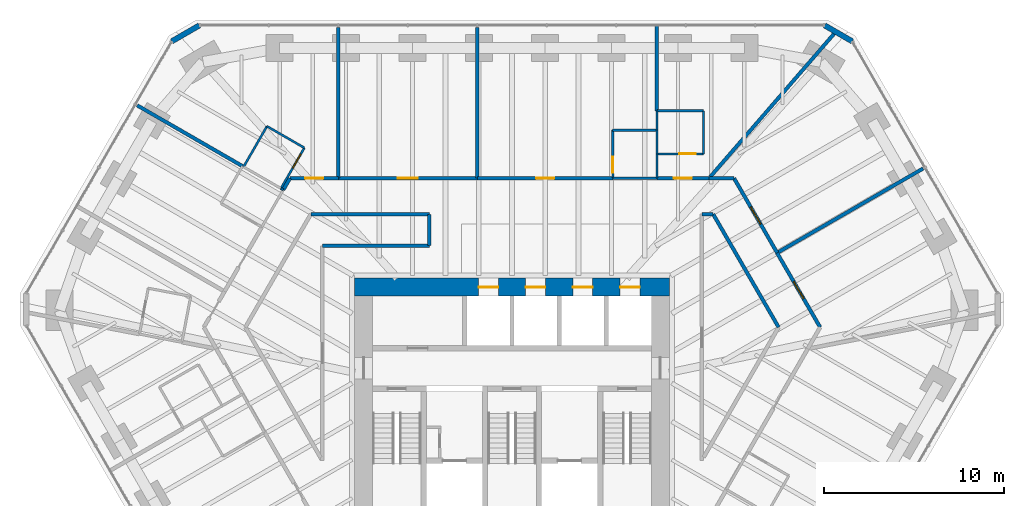
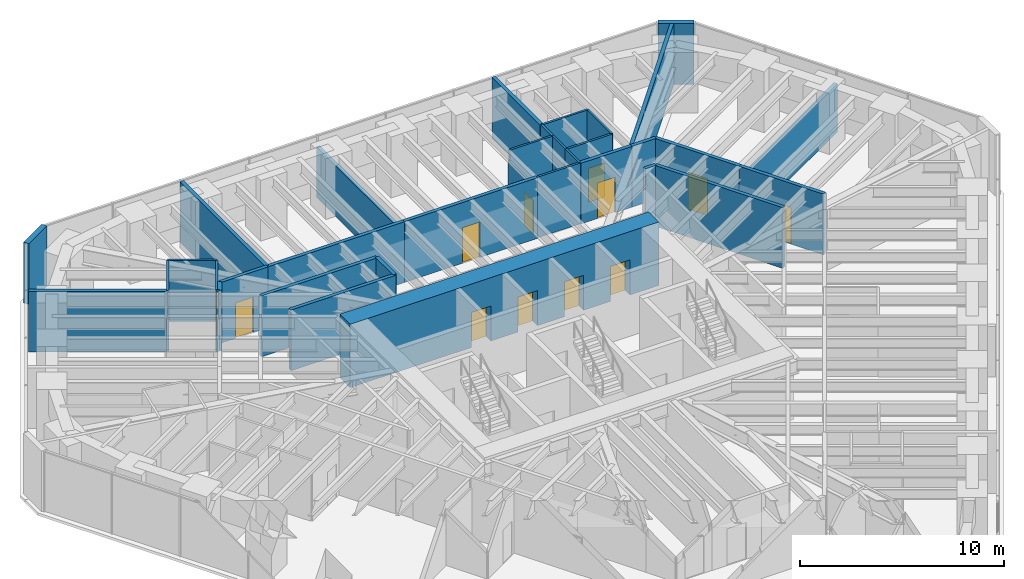
# One storey, part 14 of 16: 35 walls, 13 doors, 13 openings.
"""IFC4 building model written with IfcOpenShell, lengths in metres."""

from ifc_helpers import new_model, si_unit, direction, frame, frame_2d, origin, place, context, subcontext, project, spatial, rectangle, extrude, material, layer, layer_set, type_object, element, fill, save


model = new_model("IFC4")

# Units and contexts
model_context = context("Model", 3, precision=1e-05, world=origin(), true_north=direction((0.0, 1.0)))
body_context = subcontext(model_context, "Body", "Model", "MODEL_VIEW")
ifc_project = project(units=[si_unit("LENGTHUNIT", "METRE"), si_unit("AREAUNIT", "SQUARE_METRE"), si_unit("VOLUMEUNIT", "CUBIC_METRE"), si_unit("PLANEANGLEUNIT", "RADIAN"), si_unit("MASSUNIT", "GRAM", prefix="KILO")], contexts=[model_context])

# Site, building, storey
site_placement = place(None, origin())
site = spatial("IfcSite", under=ifc_project, at=site_placement, CompositionType="ELEMENT")
building_placement = place(site_placement, origin())
building = spatial("IfcBuilding", under=site, at=building_placement, Name="Sandreach Pilgrim Tower", CompositionType="ELEMENT")
storey_placement = place(building_placement, frame((0.0, 0.0, 228.800048828125)))
storey = spatial("IfcBuildingStorey", under=building, at=storey_placement, Name="L57", CompositionType="ELEMENT", Elevation=228.800048828125)

# Walls
ifc_material_1 = material(Name="Moisture-resistant gypsum board on steel studs", Category="steel")
ifc_layer_1 = layer(ifc_material_1, 0.1201171875)
ifc_layer_set_1 = layer_set([ifc_layer_1], Name="Bathroom partition 120")
wall_type_1 = type_object("IfcWallType", Name="Bathroom partition 120", PredefinedType="PARTITIONING", material=ifc_layer_set_1)
wall_1_placement = place(storey_placement, frame((-13.6298828125, 15.550048828125, 0.0), z_axis=(0.0, 0.0, 1.0), x_axis=(-0.498627694264, -0.866816256489, 0.0)))
element("IfcWall", 1, at=wall_1_placement, inside=storey, type_object=wall_type_1, Name="Bathroom partition L57-029", PredefinedType="PARTITIONING", context=body_context, shape_type="SweptSolid", body=[
    extrude(rectangle(XDim=2.607177734375, YDim=0.1201171875, at=frame_2d((1.3037109375, 0.0))), origin(), (0.0, 0.0, 1.0), 3.639892578125),
])
wall_2_placement = place(storey_placement, frame((-12.85009765625, 12.090087890625, 0.0), z_axis=(0.0, 0.0, 1.0), x_axis=(0.880471099922, -0.474099823035, 0.0)))
element("IfcWall", 2, at=wall_2_placement, inside=storey, type_object=wall_type_1, Name="Bathroom partition L57-030", PredefinedType="PARTITIONING", context=body_context, shape_type="SweptSolid", body=[
    extrude(rectangle(XDim=0.147705078125, YDim=0.1201171875, at=frame_2d((0.07373046875, 0.0))), origin(), (0.0, 0.0, 1.0), 3.639892578125),
])

# Wall, opening, door
wall_3_placement = place(storey_placement, frame((-12.85009765625, 12.090087890625, 0.0), z_axis=(0.0, 0.0, 1.0), x_axis=(0.498627694264, 0.866816256489, 0.0)))
wall_3 = element("IfcWall", 3, at=wall_3_placement, inside=storey, type_object=wall_type_1, Name="Bathroom partition L57-031", PredefinedType="PARTITIONING", context=body_context, shape_type="SweptSolid", body=[
    extrude(rectangle(XDim=2.607177734375, YDim=0.1201171875, at=frame_2d((1.3037109375, 0.0))), origin(), (0.0, 0.0, 1.0), 3.639892578125),
])
opening_1_placement = place(wall_3_placement, frame((1.300048828125, 0.0, 0.0)))
opening_1 = element("IfcOpeningElement", 4, at=opening_1_placement, cuts=wall_3, Name="Opening D09-16B", PredefinedType="OPENING", context=body_context, shape_type="SweptSolid", body=[
    extrude(rectangle(XDim=0.89990234375, YDim=2.030029296875, at=frame_2d((0.449951171875, 1.01513671875))), frame((0.0, 0.06005859375, 0.0), z_axis=(0.0, -1.0, 0.0), x_axis=(1.0, 0.0, 0.0)), (0.0, 0.0, 1.0), 0.1201171875),
])
ifc_material_2 = material(Name="Timber door, steel frame", Category="steel")
door_type_1 = type_object("IfcDoorType", Name="Bathroom door", OperationType="SINGLE_SWING_LEFT", PredefinedType="DOOR", material=ifc_material_2)
door_1_placement = place(opening_1_placement, origin())
door_1 = element("IfcDoor", 5, at=door_1_placement, inside=storey, type_object=door_type_1, Name="Door 5716B", OperationType="SINGLE_SWING_RIGHT", OverallHeight=2.030029296875, OverallWidth=0.89990234375, PredefinedType="DOOR", context=body_context, shape_type="SweptSolid", body=[
    extrude(rectangle(XDim=0.89990234375, YDim=2.030029296875, at=frame_2d((0.449951171875, 1.01513671875))), frame((0.0, 0.02490234375, 0.0), z_axis=(0.0, -1.0, 0.0), x_axis=(1.0, 0.0, 0.0)), (0.0, 0.0, 1.0), 0.050048828125),
])
fill(opening_1, door_1)

# Wall
wall_4_placement = place(storey_placement, frame((-11.550048828125, 14.35009765625, 0.0), z_axis=(0.0, 0.0, 1.0), x_axis=(-0.866177122335, 0.499737123639, 0.0)))
element("IfcWall", 6, at=wall_4_placement, inside=storey, type_object=wall_type_1, Name="Bathroom partition L57-035", PredefinedType="PARTITIONING", context=body_context, shape_type="SweptSolid", body=[
    extrude(rectangle(XDim=2.401123046875, YDim=0.1201171875, at=frame_2d((1.20068359375, 0.0))), origin(), (0.0, 0.0, 1.0), 3.639892578125),
])

# Wall, opening, door
wall_5_placement = place(storey_placement, frame((5.60009765625, 15.330078125, 0.0), z_axis=(0.0, 0.0, 1.0), x_axis=(0.003748716459, -0.999992973538, 0.0)))
wall_5 = element("IfcWall", 7, at=wall_5_placement, inside=storey, type_object=wall_type_1, Name="Bathroom partition L57-072", PredefinedType="PARTITIONING", context=body_context, shape_type="SweptSolid", body=[
    extrude(rectangle(XDim=2.670166015625, YDim=0.1201171875, at=frame_2d((1.3349609375, 0.0))), origin(), (0.0, 0.0, 1.0), 3.022705078125),
])
opening_2_placement = place(wall_5_placement, frame((1.469970703125, 0.0, 0.0)))
opening_2 = element("IfcOpeningElement", 8, at=opening_2_placement, cuts=wall_5, Name="Opening D09-02B", PredefinedType="OPENING", context=body_context, shape_type="SweptSolid", body=[
    extrude(rectangle(XDim=0.89990234375, YDim=2.030029296875, at=frame_2d((0.449951171875, 1.01513671875))), frame((0.0, 0.06005859375, 0.0), z_axis=(0.0, -1.0, 0.0), x_axis=(1.0, 0.0, 0.0)), (0.0, 0.0, 1.0), 0.1201171875),
])
door_2_placement = place(opening_2_placement, origin())
door_2 = element("IfcDoor", 9, at=door_2_placement, inside=storey, type_object=door_type_1, Name="Door 5702B", OperationType="SINGLE_SWING_RIGHT", OverallHeight=2.030029296875, OverallWidth=0.89990234375, PredefinedType="DOOR", context=body_context, shape_type="SweptSolid", body=[
    extrude(rectangle(XDim=0.89990234375, YDim=2.030029296875, at=frame_2d((0.449951171875, 1.01513671875))), frame((0.0, 0.02490234375, 0.0), z_axis=(0.0, -1.0, 0.0), x_axis=(1.0, 0.0, 0.0)), (0.0, 0.0, 1.0), 0.050048828125),
])
fill(opening_2, door_2)

# Walls
wall_6_placement = place(storey_placement, frame((8.06005859375, 12.659912109375, 0.0), z_axis=(0.0, 0.0, 1.0), x_axis=(-1.0, 0.0, 0.0)))
element("IfcWall", 10, at=wall_6_placement, inside=storey, type_object=wall_type_1, Name="Bathroom partition L57-082", PredefinedType="PARTITIONING", context=body_context, shape_type="SweptSolid", body=[
    extrude(rectangle(XDim=2.449951171875, YDim=0.1201171875, at=frame_2d((1.22509765625, 0.0))), origin(), (0.0, 0.0, 1.0), 3.639892578125),
])
wall_7_placement = place(storey_placement, frame((8.06005859375, 14.010009765625, 0.0), z_axis=(0.0, 0.0, 1.0), x_axis=(0.0, -1.0, 0.0)))
element("IfcWall", 11, at=wall_7_placement, inside=storey, type_object=wall_type_1, Name="Bathroom partition L57-083", PredefinedType="PARTITIONING", context=body_context, shape_type="SweptSolid", body=[
    extrude(rectangle(XDim=1.35009765625, YDim=0.1201171875, at=frame_2d((0.675048828125, 0.0))), origin(), (0.0, 0.0, 1.0), 3.639892578125),
])

# Wall, opening, door
wall_8_placement = place(storey_placement, frame((8.06005859375, 14.010009765625, 0.0), z_axis=(0.0, 0.0, 1.0), x_axis=(1.0, 0.0, 0.0)))
wall_8 = element("IfcWall", 12, at=wall_8_placement, inside=storey, type_object=wall_type_1, Name="Bathroom partition L57-084", PredefinedType="PARTITIONING", context=body_context, shape_type="SweptSolid", body=[
    extrude(rectangle(XDim=2.599853515625, YDim=0.1201171875, at=frame_2d((1.2998046875, 0.0))), origin(), (0.0, 0.0, 1.0), 3.639892578125),
])
opening_3_placement = place(wall_8_placement, frame((1.25, 0.0, 0.0)))
opening_3 = element("IfcOpeningElement", 13, at=opening_3_placement, cuts=wall_8, Name="Opening D09-03B", PredefinedType="OPENING", context=body_context, shape_type="SweptSolid", body=[
    extrude(rectangle(XDim=0.89990234375, YDim=2.030029296875, at=frame_2d((0.449951171875, 1.01513671875))), frame((0.0, 0.06005859375, 0.0), z_axis=(0.0, -1.0, 0.0), x_axis=(1.0, 0.0, 0.0)), (0.0, 0.0, 1.0), 0.1201171875),
])
door_3_placement = place(opening_3_placement, origin())
door_3 = element("IfcDoor", 14, at=door_3_placement, inside=storey, type_object=door_type_1, Name="Door 5703B", OperationType="SINGLE_SWING_RIGHT", OverallHeight=2.030029296875, OverallWidth=0.89990234375, PredefinedType="DOOR", context=body_context, shape_type="SweptSolid", body=[
    extrude(rectangle(XDim=0.89990234375, YDim=2.030029296875, at=frame_2d((0.449951171875, 1.01513671875))), frame((0.0, 0.02490234375, 0.0), z_axis=(0.0, -1.0, 0.0), x_axis=(1.0, 0.0, 0.0)), (0.0, 0.0, 1.0), 0.050048828125),
])
fill(opening_3, door_3)

# Walls
wall_9_placement = place(storey_placement, frame((8.06005859375, 15.330078125, 0.0), z_axis=(0.0, 0.0, 1.0), x_axis=(-1.0, 0.0, 0.0)))
element("IfcWall", 15, at=wall_9_placement, inside=storey, type_object=wall_type_1, Name="Bathroom partition L57-085", PredefinedType="PARTITIONING", context=body_context, shape_type="SweptSolid", body=[
    extrude(rectangle(XDim=2.4599609375, YDim=0.1201171875, at=frame_2d((1.22998046875, 0.0))), origin(), (0.0, 0.0, 1.0), 3.639892578125),
])
wall_10_placement = place(storey_placement, frame((8.06005859375, 15.330078125, 0.0), z_axis=(0.0, 0.0, 1.0), x_axis=(0.0, -1.0, 0.0)))
element("IfcWall", 16, at=wall_10_placement, inside=storey, type_object=wall_type_1, Name="Bathroom partition L57-086", PredefinedType="PARTITIONING", context=body_context, shape_type="SweptSolid", body=[
    extrude(rectangle(XDim=1.320068359375, YDim=0.1201171875, at=frame_2d((0.66015625, 0.0))), origin(), (0.0, 0.0, 1.0), 3.639892578125),
])
wall_11_placement = place(storey_placement, frame((8.06005859375, 16.409912109375, 0.0), z_axis=(0.0, 0.0, 1.0), x_axis=(0.0, -1.0, 0.0)))
element("IfcWall", 17, at=wall_11_placement, inside=storey, type_object=wall_type_1, Name="Bathroom partition L57-087", PredefinedType="PARTITIONING", context=body_context, shape_type="SweptSolid", body=[
    extrude(rectangle(XDim=1.079833984375, YDim=0.1201171875, at=frame_2d((0.5400390625, 0.0))), origin(), (0.0, 0.0, 1.0), 3.639892578125),
])
wall_12_placement = place(storey_placement, frame((10.659912109375, 14.010009765625, 0.0), z_axis=(0.0, 0.0, 1.0), x_axis=(0.0, 1.0, 0.0)))
element("IfcWall", 18, at=wall_12_placement, inside=storey, type_object=wall_type_1, Name="Bathroom partition L57-098", PredefinedType="PARTITIONING", context=body_context, shape_type="SweptSolid", body=[
    extrude(rectangle(XDim=2.39990234375, YDim=0.1201171875, at=frame_2d((1.199951171875, 0.0))), origin(), (0.0, 0.0, 1.0), 3.639892578125),
])
wall_13_placement = place(storey_placement, frame((10.659912109375, 16.409912109375, 0.0), z_axis=(0.0, 0.0, 1.0), x_axis=(-1.0, 0.0, 0.0)))
element("IfcWall", 19, at=wall_13_placement, inside=storey, type_object=wall_type_1, Name="Bathroom partition L57-099", PredefinedType="PARTITIONING", context=body_context, shape_type="SweptSolid", body=[
    extrude(rectangle(XDim=2.599853515625, YDim=0.1201171875, at=frame_2d((1.2998046875, 0.0))), origin(), (0.0, 0.0, 1.0), 3.639892578125),
])

# Wall, openings, doors
ifc_material_3 = material(Name="Concrete 10000 psi", Category="concrete")
ifc_layer_2 = layer(ifc_material_3, 1.0)
ifc_layer_set_2 = layer_set([ifc_layer_2], Name="Core wall 1000")
wall_type_2 = type_object("IfcWallType", Name="Core wall 1000", PredefinedType="SHEAR", material=ifc_layer_set_2)
wall_14_placement = place(storey_placement, frame((-8.75, 6.60009765625, 0.0), z_axis=(0.0, 0.0, 1.0), x_axis=(1.0, 0.0, 0.0)))
wall_14 = element("IfcWall", 20, at=wall_14_placement, inside=storey, type_object=wall_type_2, Name="Core wall N L57", PredefinedType="SHEAR", context=body_context, shape_type="SweptSolid", body=[
    extrude(rectangle(XDim=17.5, YDim=1.0, at=frame_2d((8.75, 0.0))), origin(), (0.0, 0.0, 1.0), 3.800048828125),
])
opening_4_placement = place(wall_14_placement, frame((6.887451171875, 0.0, 0.0)))
opening_4 = element("IfcOpeningElement", 21, at=opening_4_placement, cuts=wall_14, Name="Opening LD11", PredefinedType="OPENING", context=body_context, shape_type="SweptSolid", body=[
    extrude(rectangle(XDim=1.10009765625, YDim=2.10009765625, at=frame_2d((0.550048828125, 1.050048828125))), frame((0.0, 0.5, 0.0), z_axis=(0.0, -1.0, 0.0), x_axis=(1.0, 0.0, 0.0)), (0.0, 0.0, 1.0), 1.0),
])
opening_5_placement = place(wall_14_placement, frame((9.512451171875, 0.0, 0.0)))
opening_5 = element("IfcOpeningElement", 22, at=opening_5_placement, cuts=wall_14, Name="Opening LD11", PredefinedType="OPENING", context=body_context, shape_type="SweptSolid", body=[
    extrude(rectangle(XDim=1.10009765625, YDim=2.10009765625, at=frame_2d((0.550048828125, 1.050048828125))), frame((0.0, 0.5, 0.0), z_axis=(0.0, -1.0, 0.0), x_axis=(1.0, 0.0, 0.0)), (0.0, 0.0, 1.0), 1.0),
])
opening_6_placement = place(wall_14_placement, frame((12.137451171875, 0.0, 0.0)))
opening_6 = element("IfcOpeningElement", 23, at=opening_6_placement, cuts=wall_14, Name="Opening LD11", PredefinedType="OPENING", context=body_context, shape_type="SweptSolid", body=[
    extrude(rectangle(XDim=1.10009765625, YDim=2.10009765625, at=frame_2d((0.550048828125, 1.050048828125))), frame((0.0, 0.5, 0.0), z_axis=(0.0, -1.0, 0.0), x_axis=(1.0, 0.0, 0.0)), (0.0, 0.0, 1.0), 1.0),
])
opening_7_placement = place(wall_14_placement, frame((14.762451171875, 0.0, 0.0)))
opening_7 = element("IfcOpeningElement", 24, at=opening_7_placement, cuts=wall_14, Name="Opening LD11", PredefinedType="OPENING", context=body_context, shape_type="SweptSolid", body=[
    extrude(rectangle(XDim=1.10009765625, YDim=2.10009765625, at=frame_2d((0.550048828125, 1.050048828125))), frame((0.0, 0.5, 0.0), z_axis=(0.0, -1.0, 0.0), x_axis=(1.0, 0.0, 0.0)), (0.0, 0.0, 1.0), 1.0),
])
ifc_material_4 = material(Name="Steel door and frame", Category="steel")
door_type_2 = type_object("IfcDoorType", Name="Lift landing door", OperationType="DOUBLE_DOOR_SLIDING", PredefinedType="DOOR", material=ifc_material_4)
door_4_placement = place(opening_4_placement, origin())
door_4 = element("IfcDoor", 25, at=door_4_placement, inside=storey, type_object=door_type_2, Name="Lift landing door Z3A L57", OperationType="DOUBLE_DOOR_SLIDING", OverallHeight=2.10009765625, OverallWidth=1.10009765625, PredefinedType="DOOR", context=body_context, shape_type="SweptSolid", body=[
    extrude(rectangle(XDim=1.10009765625, YDim=2.10009765625, at=frame_2d((0.550048828125, 1.050048828125))), frame((0.0, 0.02490234375, 0.0), z_axis=(0.0, -1.0, 0.0), x_axis=(1.0, 0.0, 0.0)), (0.0, 0.0, 1.0), 0.050048828125),
])
fill(opening_4, door_4)
door_5_placement = place(opening_5_placement, origin())
door_5 = element("IfcDoor", 26, at=door_5_placement, inside=storey, type_object=door_type_2, Name="Lift landing door Z3B L57", OperationType="DOUBLE_DOOR_SLIDING", OverallHeight=2.10009765625, OverallWidth=1.10009765625, PredefinedType="DOOR", context=body_context, shape_type="SweptSolid", body=[
    extrude(rectangle(XDim=1.10009765625, YDim=2.10009765625, at=frame_2d((0.550048828125, 1.050048828125))), frame((0.0, 0.02490234375, 0.0), z_axis=(0.0, -1.0, 0.0), x_axis=(1.0, 0.0, 0.0)), (0.0, 0.0, 1.0), 0.050048828125),
])
fill(opening_5, door_5)
door_6_placement = place(opening_6_placement, origin())
door_6 = element("IfcDoor", 27, at=door_6_placement, inside=storey, type_object=door_type_2, Name="Lift landing door Z3C L57", OperationType="DOUBLE_DOOR_SLIDING", OverallHeight=2.10009765625, OverallWidth=1.10009765625, PredefinedType="DOOR", context=body_context, shape_type="SweptSolid", body=[
    extrude(rectangle(XDim=1.10009765625, YDim=2.10009765625, at=frame_2d((0.550048828125, 1.050048828125))), frame((0.0, 0.02490234375, 0.0), z_axis=(0.0, -1.0, 0.0), x_axis=(1.0, 0.0, 0.0)), (0.0, 0.0, 1.0), 0.050048828125),
])
fill(opening_6, door_6)
door_7_placement = place(opening_7_placement, origin())
door_7 = element("IfcDoor", 28, at=door_7_placement, inside=storey, type_object=door_type_2, Name="Lift landing door Z3D L57", OperationType="DOUBLE_DOOR_SLIDING", OverallHeight=2.10009765625, OverallWidth=1.10009765625, PredefinedType="DOOR", context=body_context, shape_type="SweptSolid", body=[
    extrude(rectangle(XDim=1.10009765625, YDim=2.10009765625, at=frame_2d((0.550048828125, 1.050048828125))), frame((0.0, 0.02490234375, 0.0), z_axis=(0.0, -1.0, 0.0), x_axis=(1.0, 0.0, 0.0)), (0.0, 0.0, 1.0), 0.050048828125),
])
fill(opening_7, door_7)

# Walls
ifc_material_5 = material(Name="Gypsum board on steel studs, two layers each side", Category="steel")
ifc_layer_3 = layer(ifc_material_5, 0.199951171875)
ifc_layer_set_3 = layer_set([ifc_layer_3], Name="Corridor wall 200")
wall_type_3 = type_object("IfcWallType", Name="Corridor wall 200", PredefinedType="PARTITIONING", material=ifc_layer_set_3)
wall_15_placement = place(storey_placement, frame((-12.71826171875, 12.01904296875, 0.0), z_axis=(0.0, 0.0, 1.0), x_axis=(0.498129744856, 0.867102506795, 0.0)))
element("IfcWall", 29, at=wall_15_placement, inside=storey, type_object=wall_type_3, Name="Corridor wall L57-032", PredefinedType="PARTITIONING", context=body_context, shape_type="SweptSolid", body=[
    extrude(rectangle(XDim=0.739013671875, YDim=0.199951171875, at=frame_2d((0.36962890625, 0.0))), origin(), (0.0, 0.0, 1.0), 3.639892578125),
])
wall_16_placement = place(storey_placement, frame((-11.18994140625, 10.659912109375, 0.0), z_axis=(0.0, 0.0, 1.0), x_axis=(1.0, 0.0, 0.0)))
element("IfcWall", 30, at=wall_16_placement, inside=storey, type_object=wall_type_3, Name="Corridor wall L57-036", PredefinedType="PARTITIONING", context=body_context, shape_type="SweptSolid", body=[
    extrude(rectangle(XDim=6.58984375, YDim=0.199951171875, at=frame_2d((3.294921875, 0.0))), origin(), (0.0, 0.0, 1.0), 3.639892578125),
])

# Wall, opening, door
wall_17_placement = place(storey_placement, frame((-9.659912109375, 12.659912109375, 0.0), z_axis=(0.0, 0.0, 1.0), x_axis=(-1.0, 0.0, 0.0)))
wall_17 = element("IfcWall", 31, at=wall_17_placement, inside=storey, type_object=wall_type_3, Name="Corridor wall L57-042", PredefinedType="PARTITIONING", context=body_context, shape_type="SweptSolid", body=[
    extrude(rectangle(XDim=2.690185546875, YDim=0.199951171875, at=frame_2d((1.34521484375, 0.0))), origin(), (0.0, 0.0, 1.0), 3.639892578125),
])
opening_8_placement = place(wall_17_placement, frame((0.844970703125, 0.0, 0.0)))
opening_8 = element("IfcOpeningElement", 32, at=opening_8_placement, cuts=wall_17, Name="Opening D10-16", PredefinedType="OPENING", context=body_context, shape_type="SweptSolid", body=[
    extrude(rectangle(XDim=1.0, YDim=2.1298828125, at=frame_2d((0.5, 1.06494140625))), frame((0.0, 0.10009765625, 0.0), z_axis=(0.0, -1.0, 0.0), x_axis=(1.0, 0.0, 0.0)), (0.0, 0.0, 1.0), 0.199951171875),
])
ifc_material_6 = material(Name="Steel door and frame", Category="steel")
door_type_3 = type_object("IfcDoorType", Name="Guest room entry door", OperationType="SINGLE_SWING_LEFT", PredefinedType="DOOR", material=ifc_material_6)
door_8_placement = place(opening_8_placement, origin())
door_8 = element("IfcDoor", 33, at=door_8_placement, inside=storey, type_object=door_type_3, Name="Door 5716", OperationType="SINGLE_SWING_LEFT", OverallHeight=2.1298828125, OverallWidth=1.0, PredefinedType="DOOR", context=body_context, shape_type="SweptSolid", body=[
    extrude(rectangle(XDim=1.0, YDim=2.1298828125, at=frame_2d((0.5, 1.06494140625))), frame((0.0, 0.02490234375, 0.0), z_axis=(0.0, -1.0, 0.0), x_axis=(1.0, 0.0, 0.0)), (0.0, 0.0, 1.0), 0.050048828125),
])
fill(opening_8, door_8)

# Walls
wall_18_placement = place(storey_placement, frame((-4.60009765625, 8.89990234375, 0.0), z_axis=(0.0, 0.0, 1.0), x_axis=(-1.0, 0.0, 0.0)))
element("IfcWall", 34, at=wall_18_placement, inside=storey, type_object=wall_type_3, Name="Corridor wall L57-049", PredefinedType="PARTITIONING", context=body_context, shape_type="SweptSolid", body=[
    extrude(rectangle(XDim=5.93994140625, YDim=0.199951171875, at=frame_2d((2.969970703125, 0.0))), origin(), (0.0, 0.0, 1.0), 3.639892578125),
])
wall_19_placement = place(storey_placement, frame((-4.60009765625, 10.64990234375, 0.0), z_axis=(0.0, 0.0, 1.0), x_axis=(0.0, -1.0, 0.0)))
element("IfcWall", 35, at=wall_19_placement, inside=storey, type_object=wall_type_3, Name="Corridor wall L57-050", PredefinedType="PARTITIONING", context=body_context, shape_type="SweptSolid", body=[
    extrude(rectangle(XDim=1.739990234375, YDim=0.199951171875, at=frame_2d((0.8701171875, 0.0))), origin(), (0.0, 0.0, 1.0), 3.639892578125),
])

# Wall, opening, door
wall_20_placement = place(storey_placement, frame((-1.929931640625, 12.659912109375, 0.0), z_axis=(0.0, 0.0, 1.0), x_axis=(-1.0, 0.0, 0.0)))
wall_20 = element("IfcWall", 36, at=wall_20_placement, inside=storey, type_object=wall_type_3, Name="Corridor wall L57-060", PredefinedType="PARTITIONING", context=body_context, shape_type="SweptSolid", body=[
    extrude(rectangle(XDim=7.72998046875, YDim=0.199951171875, at=frame_2d((3.864990234375, 0.0))), origin(), (0.0, 0.0, 1.0), 3.639892578125),
])
opening_9_placement = place(wall_20_placement, frame((3.31494140625, 0.0, 0.0)))
opening_9 = element("IfcOpeningElement", 37, at=opening_9_placement, cuts=wall_20, Name="Opening D11H-01", PredefinedType="OPENING", context=body_context, shape_type="SweptSolid", body=[
    extrude(rectangle(XDim=1.10009765625, YDim=2.199951171875, at=frame_2d((0.550048828125, 1.10009765625))), frame((0.0, 0.10009765625, 0.0), z_axis=(0.0, -1.0, 0.0), x_axis=(1.0, 0.0, 0.0)), (0.0, 0.0, 1.0), 0.199951171875),
])
ifc_material_7 = material(Name="Steel door and frame", Category="steel")
door_type_4 = type_object("IfcDoorType", Name="Back of house door", OperationType="SINGLE_SWING_LEFT", PredefinedType="DOOR", material=ifc_material_7)
door_9_placement = place(opening_9_placement, origin())
door_9 = element("IfcDoor", 38, at=door_9_placement, inside=storey, type_object=door_type_4, Name="Door 5701", OperationType="SINGLE_SWING_LEFT", OverallHeight=2.199951171875, OverallWidth=1.10009765625, PredefinedType="DOOR", context=body_context, shape_type="SweptSolid", body=[
    extrude(rectangle(XDim=1.10009765625, YDim=2.199951171875, at=frame_2d((0.550048828125, 1.10009765625))), frame((0.0, 0.02490234375, 0.0), z_axis=(0.0, -1.0, 0.0), x_axis=(1.0, 0.0, 0.0)), (0.0, 0.0, 1.0), 0.050048828125),
])
fill(opening_9, door_9)

wall_21_placement = place(storey_placement, frame((5.610107421875, 12.659912109375, 0.0), z_axis=(0.0, 0.0, 1.0), x_axis=(-1.0, 0.0, 0.0)))
wall_21 = element("IfcWall", 39, at=wall_21_placement, inside=storey, type_object=wall_type_3, Name="Corridor wall L57-073", PredefinedType="PARTITIONING", context=body_context, shape_type="SweptSolid", body=[
    extrude(rectangle(XDim=7.5400390625, YDim=0.199951171875, at=frame_2d((3.77001953125, 0.0))), origin(), (0.0, 0.0, 1.0), 3.639892578125),
])
opening_10_placement = place(wall_21_placement, frame((3.27001953125, 0.0, 0.0)))
opening_10 = element("IfcOpeningElement", 40, at=opening_10_placement, cuts=wall_21, Name="Opening D10-02", PredefinedType="OPENING", context=body_context, shape_type="SweptSolid", body=[
    extrude(rectangle(XDim=1.0, YDim=2.1298828125, at=frame_2d((0.5, 1.06494140625))), frame((0.0, 0.10009765625, 0.0), z_axis=(0.0, -1.0, 0.0), x_axis=(1.0, 0.0, 0.0)), (0.0, 0.0, 1.0), 0.199951171875),
])
door_10_placement = place(opening_10_placement, origin())
door_10 = element("IfcDoor", 41, at=door_10_placement, inside=storey, type_object=door_type_3, Name="Door 5702", OperationType="SINGLE_SWING_LEFT", OverallHeight=2.1298828125, OverallWidth=1.0, PredefinedType="DOOR", context=body_context, shape_type="SweptSolid", body=[
    extrude(rectangle(XDim=1.0, YDim=2.1298828125, at=frame_2d((0.5, 1.06494140625))), frame((0.0, 0.02490234375, 0.0), z_axis=(0.0, -1.0, 0.0), x_axis=(1.0, 0.0, 0.0)), (0.0, 0.0, 1.0), 0.050048828125),
])
fill(opening_10, door_10)

# Wall
wall_22_placement = place(storey_placement, frame((10.56005859375, 10.659912109375, 0.0), z_axis=(0.0, 0.0, 1.0), x_axis=(1.0, 0.0, 0.0)))
element("IfcWall", 42, at=wall_22_placement, inside=storey, type_object=wall_type_3, Name="Corridor wall L57-097", PredefinedType="PARTITIONING", context=body_context, shape_type="SweptSolid", body=[
    extrude(rectangle(XDim=0.6298828125, YDim=0.199951171875, at=frame_2d((0.31494140625, 0.0))), origin(), (0.0, 0.0, 1.0), 3.639892578125),
])

# Wall, opening, door
wall_23_placement = place(storey_placement, frame((10.9599609375, 12.659912109375, 0.0), z_axis=(0.0, 0.0, 1.0), x_axis=(-1.0, 0.0, 0.0)))
wall_23 = element("IfcWall", 43, at=wall_23_placement, inside=storey, type_object=wall_type_3, Name="Corridor wall L57-100", PredefinedType="PARTITIONING", context=body_context, shape_type="SweptSolid", body=[
    extrude(rectangle(XDim=2.89990234375, YDim=0.199951171875, at=frame_2d((1.449951171875, 0.0))), origin(), (0.0, 0.0, 1.0), 3.639892578125),
])
opening_11_placement = place(wall_23_placement, frame((0.949951171875, 0.0, 0.0)))
opening_11 = element("IfcOpeningElement", 44, at=opening_11_placement, cuts=wall_23, Name="Opening D10-03", PredefinedType="OPENING", context=body_context, shape_type="SweptSolid", body=[
    extrude(rectangle(XDim=1.0, YDim=2.1298828125, at=frame_2d((0.5, 1.06494140625))), frame((0.0, 0.10009765625, 0.0), z_axis=(0.0, -1.0, 0.0), x_axis=(1.0, 0.0, 0.0)), (0.0, 0.0, 1.0), 0.199951171875),
])
door_11_placement = place(opening_11_placement, origin())
door_11 = element("IfcDoor", 45, at=door_11_placement, inside=storey, type_object=door_type_3, Name="Door 5703", OperationType="SINGLE_SWING_LEFT", OverallHeight=2.1298828125, OverallWidth=1.0, PredefinedType="DOOR", context=body_context, shape_type="SweptSolid", body=[
    extrude(rectangle(XDim=1.0, YDim=2.1298828125, at=frame_2d((0.5, 1.06494140625))), frame((0.0, 0.02490234375, 0.0), z_axis=(0.0, -1.0, 0.0), x_axis=(1.0, 0.0, 0.0)), (0.0, 0.0, 1.0), 0.050048828125),
])
fill(opening_11, door_11)

# Walls
wall_24_placement = place(storey_placement, frame((11.18994140625, 10.659912109375, 0.0), z_axis=(0.0, 0.0, 1.0), x_axis=(0.500899863475, -0.865505243642, 0.0)))
element("IfcWall", 46, at=wall_24_placement, inside=storey, type_object=wall_type_3, Name="Corridor wall L57-101", PredefinedType="PARTITIONING", context=body_context, shape_type="SweptSolid", body=[
    extrude(rectangle(XDim=7.26708984375, YDim=0.199951171875, at=frame_2d((3.633544921875, 0.0))), origin(), (0.0, 0.0, 1.0), 3.639892578125),
])
wall_25_placement = place(storey_placement, frame((12.35009765625, 12.659912109375, 0.0), z_axis=(0.0, 0.0, 1.0), x_axis=(-1.0, 0.0, 0.0)))
element("IfcWall", 47, at=wall_25_placement, inside=storey, type_object=wall_type_3, Name="Corridor wall L57-104", PredefinedType="PARTITIONING", context=body_context, shape_type="SweptSolid", body=[
    extrude(rectangle(XDim=1.39013671875, YDim=0.199951171875, at=frame_2d((0.695068359375, 0.0))), origin(), (0.0, 0.0, 1.0), 3.639892578125),
])

# Wall, opening, door
wall_26_placement = place(storey_placement, frame((12.35009765625, 12.659912109375, 0.0), z_axis=(0.0, 0.0, 1.0), x_axis=(0.500618647881, -0.86566793252, 0.0)))
wall_26 = element("IfcWall", 48, at=wall_26_placement, inside=storey, type_object=wall_type_3, Name="Corridor wall L57-105", PredefinedType="PARTITIONING", context=body_context, shape_type="SweptSolid", body=[
    extrude(rectangle(XDim=4.7939453125, YDim=0.199951171875, at=frame_2d((2.39697265625, 0.0))), origin(), (0.0, 0.0, 1.0), 3.639892578125),
])
opening_12_placement = place(wall_26_placement, frame((1.846923828125, 0.0, 0.0)))
opening_12 = element("IfcOpeningElement", 49, at=opening_12_placement, cuts=wall_26, Name="Opening D11H-04", PredefinedType="OPENING", context=body_context, shape_type="SweptSolid", body=[
    extrude(rectangle(XDim=1.10009765625, YDim=2.199951171875, at=frame_2d((0.550048828125, 1.10009765625))), frame((0.0, 0.10009765625, 0.0), z_axis=(0.0, -1.0, 0.0), x_axis=(1.0, 0.0, 0.0)), (0.0, 0.0, 1.0), 0.199951171875),
])
door_12_placement = place(opening_12_placement, origin())
door_12 = element("IfcDoor", 50, at=door_12_placement, inside=storey, type_object=door_type_4, Name="Door 5704", OperationType="SINGLE_SWING_LEFT", OverallHeight=2.199951171875, OverallWidth=1.10009765625, PredefinedType="DOOR", context=body_context, shape_type="SweptSolid", body=[
    extrude(rectangle(XDim=1.10009765625, YDim=2.199951171875, at=frame_2d((0.550048828125, 1.10009765625))), frame((0.0, 0.02490234375, 0.0), z_axis=(0.0, -1.0, 0.0), x_axis=(1.0, 0.0, 0.0)), (0.0, 0.0, 1.0), 0.050048828125),
])
fill(opening_12, door_12)

wall_27_placement = place(storey_placement, frame((17.139892578125, 4.3701171875, 0.0), z_axis=(0.0, 0.0, 1.0), x_axis=(-0.501524901322, 0.865143209737, 0.0)))
wall_27 = element("IfcWall", 51, at=wall_27_placement, inside=storey, type_object=wall_type_3, Name="Corridor wall L57-112", PredefinedType="PARTITIONING", context=body_context, shape_type="SweptSolid", body=[
    extrude(rectangle(XDim=4.78515625, YDim=0.199951171875, at=frame_2d((2.392578125, 0.0))), origin(), (0.0, 0.0, 1.0), 3.639892578125),
])
opening_13_placement = place(wall_27_placement, frame((1.8427734375, 0.0, 0.0)))
opening_13 = element("IfcOpeningElement", 52, at=opening_13_placement, cuts=wall_27, Name="Opening D11H-05", PredefinedType="OPENING", context=body_context, shape_type="SweptSolid", body=[
    extrude(rectangle(XDim=1.10009765625, YDim=2.199951171875, at=frame_2d((0.550048828125, 1.10009765625))), frame((0.0, 0.10009765625, 0.0), z_axis=(0.0, -1.0, 0.0), x_axis=(1.0, 0.0, 0.0)), (0.0, 0.0, 1.0), 0.199951171875),
])
door_13_placement = place(opening_13_placement, origin())
door_13 = element("IfcDoor", 53, at=door_13_placement, inside=storey, type_object=door_type_4, Name="Door 5705", OperationType="SINGLE_SWING_LEFT", OverallHeight=2.199951171875, OverallWidth=1.10009765625, PredefinedType="DOOR", context=body_context, shape_type="SweptSolid", body=[
    extrude(rectangle(XDim=1.10009765625, YDim=2.199951171875, at=frame_2d((0.550048828125, 1.10009765625))), frame((0.0, 0.02490234375, 0.0), z_axis=(0.0, -1.0, 0.0), x_axis=(1.0, 0.0, 0.0)), (0.0, 0.0, 1.0), 0.050048828125),
])
fill(opening_13, door_13)

# Walls
ifc_material_8 = material(Name="Double steel stud acoustic wall, gypsum board", Category="steel")
ifc_layer_4 = layer(ifc_material_8, 0.199951171875)
ifc_layer_set_4 = layer_set([ifc_layer_4], Name="Party wall 200")
wall_type_4 = type_object("IfcWallType", Name="Party wall 200", PredefinedType="PARTITIONING", material=ifc_layer_set_4)
wall_28_placement = place(storey_placement, frame((-20.84619140625, 16.7099609375, 0.0), z_axis=(0.0, 0.0, 1.0), x_axis=(0.866102018567, -0.499867275818, 0.0)))
element("IfcWall", 54, at=wall_28_placement, inside=storey, type_object=wall_type_4, Name="Party wall L57-004", PredefinedType="PARTITIONING", context=body_context, shape_type="SweptSolid", body=[
    extrude(rectangle(XDim=6.761474609375, YDim=0.199951171875, at=frame_2d((3.380859375, 0.0))), origin(), (0.0, 0.0, 1.0), 3.639892578125),
])
wall_29_placement = place(storey_placement, frame((-9.659912109375, 12.669921875, 0.0), z_axis=(0.0, 0.0, 1.0), x_axis=(0.0, 1.0, 0.0)))
element("IfcWall", 55, at=wall_29_placement, inside=storey, type_object=wall_type_4, Name="Party wall L57-043", PredefinedType="PARTITIONING", context=body_context, shape_type="SweptSolid", body=[
    extrude(rectangle(XDim=8.3701171875, YDim=0.199951171875, at=frame_2d((4.18505859375, 0.0))), origin(), (0.0, 0.0, 1.0), 3.639892578125),
])
wall_30_placement = place(storey_placement, frame((-1.929931640625, 21.0400390625, 0.0), z_axis=(0.0, 0.0, 1.0), x_axis=(0.0, -1.0, 0.0)))
element("IfcWall", 56, at=wall_30_placement, inside=storey, type_object=wall_type_4, Name="Party wall L57-061", PredefinedType="PARTITIONING", context=body_context, shape_type="SweptSolid", body=[
    extrude(rectangle(XDim=8.3701171875, YDim=0.199951171875, at=frame_2d((4.18505859375, 0.0))), origin(), (0.0, 0.0, 1.0), 3.022705078125),
])
wall_31_placement = place(storey_placement, frame((8.06005859375, 21.1298828125, 0.0), z_axis=(0.0, 0.0, 1.0), x_axis=(0.0, -1.0, 0.0)))
element("IfcWall", 57, at=wall_31_placement, inside=storey, type_object=wall_type_4, Name="Party wall L57-088", PredefinedType="PARTITIONING", context=body_context, shape_type="SweptSolid", body=[
    extrude(rectangle(XDim=4.719970703125, YDim=0.199951171875, at=frame_2d((2.35986328125, 0.0))), origin(), (0.0, 0.0, 1.0), 3.639892578125),
])
wall_32_placement = place(storey_placement, frame((18.020263671875, 20.8173828125, 0.0), z_axis=(0.0, 0.0, 1.0), x_axis=(-0.654429261747, -0.756123231603, 0.0)))
element("IfcWall", 58, at=wall_32_placement, inside=storey, type_object=wall_type_4, Name="Party wall L57-113", PredefinedType="PARTITIONING", context=body_context, shape_type="SweptSolid", body=[
    extrude(rectangle(XDim=10.683349609375, YDim=0.199951171875, at=frame_2d((5.341796875, 0.0))), origin(), (0.0, 0.0, 1.0), 3.639892578125),
])
wall_33_placement = place(storey_placement, frame((22.8662109375, 13.199951171875, 0.0), z_axis=(0.0, 0.0, 1.0), x_axis=(-0.865840726882, -0.500319733442, 0.0)))
element("IfcWall", 59, at=wall_33_placement, inside=storey, type_object=wall_type_4, Name="Party wall L57-114", PredefinedType="PARTITIONING", context=body_context, shape_type="SweptSolid", body=[
    extrude(rectangle(XDim=9.363525390625, YDim=0.199951171875, at=frame_2d((4.681640625, 0.0))), origin(), (0.0, 0.0, 1.0), 2.8779296875),
])
ifc_material_9 = material(Name="Terracotta rainscreen on concrete", Category="masonry")
ifc_layer_5 = layer(ifc_material_9, 0.300048828125)
ifc_layer_set_5 = layer_set([ifc_layer_5], Name="Terracotta chamfer pier")
wall_type_5 = type_object("IfcWallType", Name="Terracotta chamfer pier", PredefinedType="SOLIDWALL", material=ifc_layer_set_5)
for number, where, z_axis, x_axis, name in (
    (60, (17.389892578125, 21.16015625, 0.0), (0.0, 0.0, 1.0), (0.866036293601, -0.499981137809, 0.0), "Chamfer pier L57 N"),
    (61, (-18.9228515625, 20.275146484375, 0.0), (0.0, 0.0, 1.0), (0.866036293601, 0.499981137809, 0.0), "Chamfer pier L57 NW"),
):
    element("IfcWall", number, at=place(storey_placement, frame(where, z_axis=z_axis, x_axis=x_axis)), inside=storey, type_object=wall_type_5, Name=name, PredefinedType="SOLIDWALL", context=body_context, shape_type="SweptSolid", body=[
        extrude(rectangle(XDim=1.77001953125, YDim=0.300048828125, at=frame_2d((0.885009765625, 0.0))), origin(), (0.0, 0.0, 1.0), 3.639892578125),
    ])

save(model, "model.ifc")
